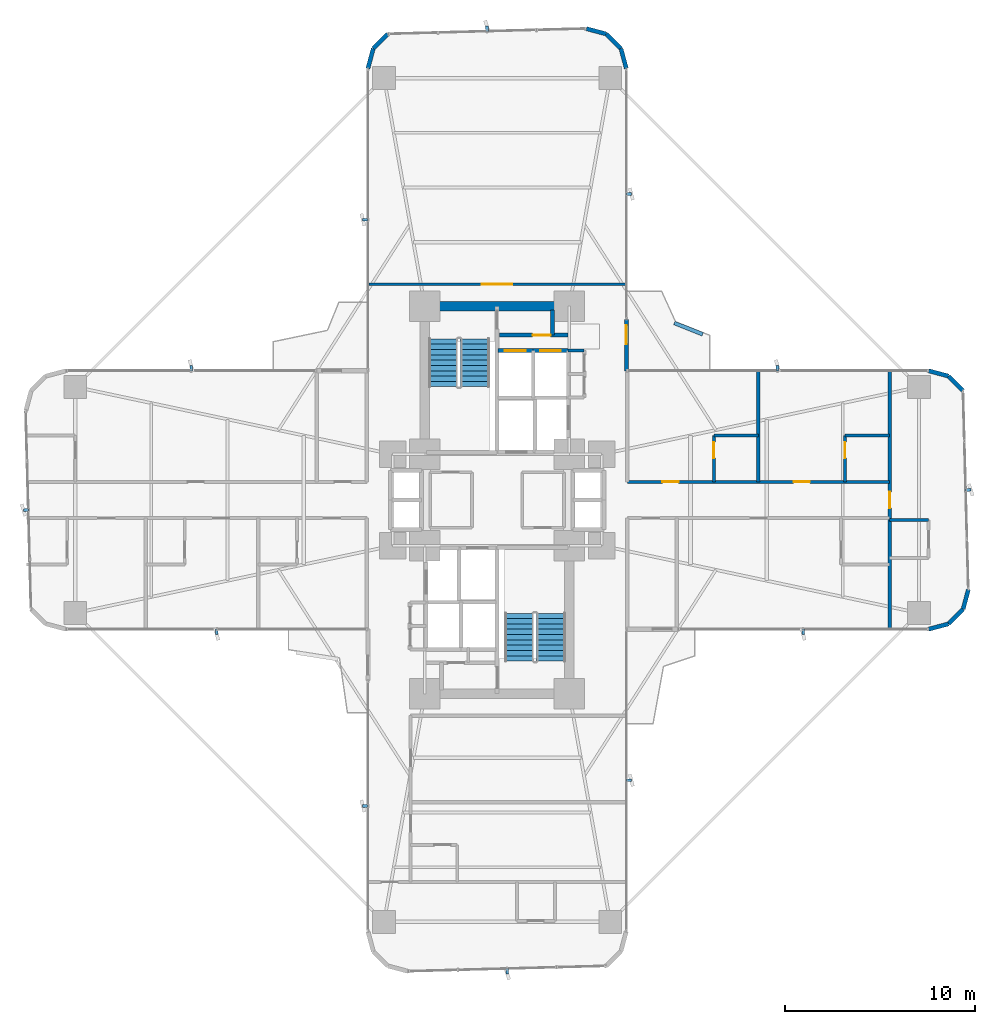
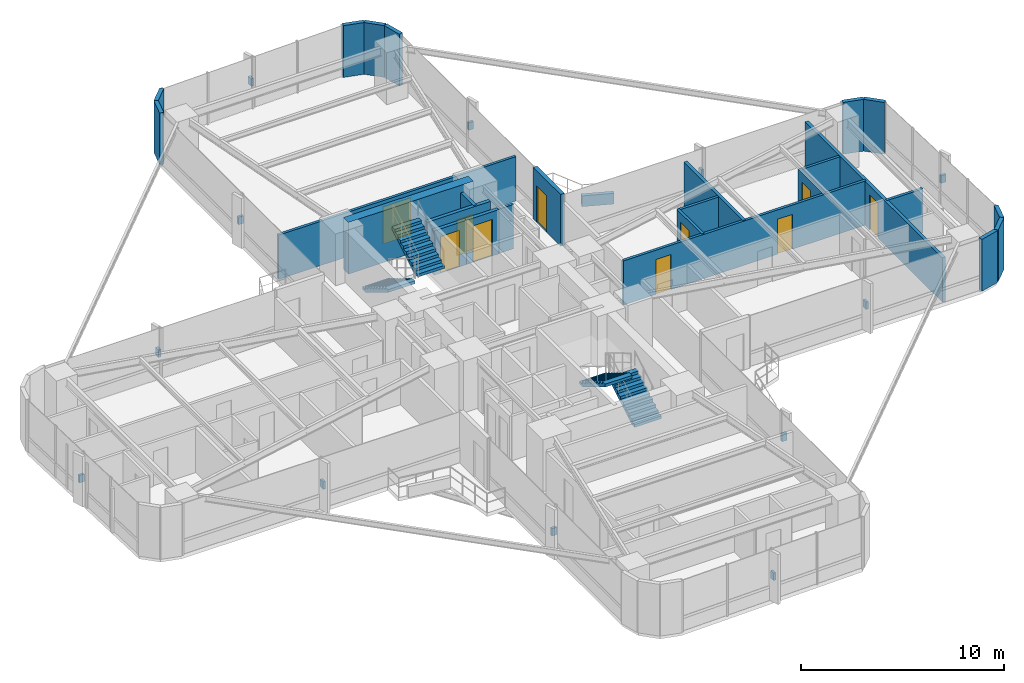
# One storey, part 24 of 25: 27 walls, 12 discrete accessories, 10 doors, 4 stair flights, 10 openings, 2 elements without a shape of their own.
"""IFC4 building model written with IfcOpenShell, lengths in metres."""

from ifc_helpers import new_model, si_unit, direction, frame, frame_2d, origin, origin_2d, place, context, subcontext, project, spatial, polyline, rectangle, outline, extrude, source, transform, mapped, material, layer, layer_set, type_object, element, fill, aggregate, save


model = new_model("IFC4")

# Units and contexts
model_context = context("Model", 3, precision=1e-05, world=origin(), true_north=direction((0.0, 1.0)))
body_context = subcontext(model_context, "Body", "Model", "MODEL_VIEW")
ifc_project = project(units=[si_unit("LENGTHUNIT", "METRE"), si_unit("AREAUNIT", "SQUARE_METRE"), si_unit("VOLUMEUNIT", "CUBIC_METRE"), si_unit("PLANEANGLEUNIT", "RADIAN"), si_unit("MASSUNIT", "GRAM", prefix="KILO")], contexts=[model_context])

# Site, building, storey
site_placement = place(None, origin())
site = spatial("IfcSite", under=ifc_project, at=site_placement, CompositionType="ELEMENT")
building_placement = place(site_placement, origin())
building = spatial("IfcBuilding", under=site, at=building_placement, Name="Sahyath Konkavel Grand Hotel", CompositionType="ELEMENT")
storey_placement = place(building_placement, frame((0.0, 0.0, 57.75)))
storey = spatial("IfcBuildingStorey", under=building, at=storey_placement, Name="L15", CompositionType="ELEMENT", Elevation=57.75)

# Walls
ifc_material_1 = material(Name="Concrete C70/85", Category="concrete")
ifc_layer_1 = layer(ifc_material_1, 0.5)
ifc_layer_set_1 = layer_set([ifc_layer_1], Name="Concrete C70/85")
wall_type_1 = type_object("IfcWallType", Name="CWALL-500", PredefinedType="SHEAR", material=ifc_layer_set_1)
wall_1_placement = place(storey_placement, frame((-3.550048828125, 10.199951171875, 0.0), z_axis=(0.0, 0.0, 1.0), x_axis=(1.0, 0.0, 0.0)))
element("IfcWall", 1, at=wall_1_placement, inside=storey, type_object=wall_type_1, Name="L15 North Core Shear Wall N", PredefinedType="SHEAR", context=body_context, shape_type="SweptSolid", body=[
    extrude(rectangle(XDim=7.10009765625, YDim=0.5, at=frame_2d((3.550048828125, 0.0))), origin(), (0.0, 0.0, 1.0), 3.110107421875),
])
ifc_material_2 = material(Name="Warm Buff Sandstone Insulated Concrete C40/50", Category="masonry")
ifc_layer_2 = layer(ifc_material_2, 0.219970703125)
ifc_layer_set_2 = layer_set([ifc_layer_2], Name="Warm Buff Sandstone Insulated Concrete C40/50")
wall_type_2 = type_object("IfcWallType", Name="WLL-BALC-THRESH", PredefinedType="STANDARD", material=ifc_layer_set_2)
for number, where, z_axis, x_axis, name in (
    (2, (22.699951171875, -6.800048828125, 0.0), (0.0, 0.0, 1.0), (0.965951058412, 0.25872485917, 0.0), "L15 Rounded Corner Sandstone Pier 1"),
    (3, (23.75, -6.518798828125, 0.0), (0.0, 0.0, 1.0), (0.707106781187, 0.707106781187, 0.0), "L15 Rounded Corner Sandstone Pier 2"),
    (4, (24.518798828125, -5.75, 0.0), (0.0, 0.0, 1.0), (0.25872485917, 0.965951058412, 0.0), "L15 Rounded Corner Sandstone Pier 3"),
    (5, (24.518798828125, 5.75, 0.0), (0.0, 0.0, 1.0), (-0.707106781187, 0.707106781187, 0.0), "L15 Rounded Corner Sandstone Pier 5"),
    (6, (23.75, 6.518798828125, 0.0), (0.0, 0.0, 1.0), (-0.965951058412, 0.25872485917, 0.0), "L15 Rounded Corner Sandstone Pier 6"),
):
    element("IfcWall", number, at=place(storey_placement, frame(where, z_axis=z_axis, x_axis=x_axis)), inside=storey, type_object=wall_type_2, Name=name, PredefinedType="STANDARD", context=body_context, shape_type="SweptSolid", body=[
        extrude(rectangle(XDim=1.087158203125, YDim=0.219970703125, at=frame_2d((0.54345703125, 0.0))), origin(), (0.0, 0.0, 1.0), 3.110107421875),
    ])

# Wall, opening, door
wall_2_placement = place(storey_placement, frame((6.800048828125, 6.800048828125, 0.0), z_axis=(0.0, 0.0, 1.0), x_axis=(0.0, 1.0, 0.0)))
wall_2 = element("IfcWall", 7, at=wall_2_placement, inside=storey, type_object=wall_type_2, Name="L15 Winter-Garden Threshold Wall 8", PredefinedType="STANDARD", context=body_context, shape_type="SweptSolid", body=[
    extrude(rectangle(XDim=2.699951171875, YDim=0.219970703125, at=frame_2d((1.35009765625, 0.0))), origin(), (0.0, 0.0, 1.0), 3.110107421875),
])
opening_1_placement = place(wall_2_placement, frame((1.39990234375, 0.0, 0.0)))
opening_1 = element("IfcOpeningElement", 8, at=opening_1_placement, cuts=wall_2, Name="Opening D-TR1", PredefinedType="OPENING", context=body_context, shape_type="SweptSolid", body=[
    extrude(rectangle(XDim=1.0, YDim=2.199951171875, at=frame_2d((0.5, 1.10009765625))), frame((0.0, 0.1201171875, 0.0), z_axis=(0.0, -1.0, 0.0), x_axis=(1.0, 0.0, 0.0)), (0.0, 0.0, 1.0), 0.239990234375),
])
ifc_material_3 = material(Name="Anodised Bronze Aluminium & Low-E Glazing", Category="aluminium")
door_type_1 = type_object("IfcDoorType", Name="DR-TERRACE-1000", OperationType="NOTDEFINED", PredefinedType="DOOR", material=ifc_material_3)
shared_shape_1 = source(origin(), body_context, "Body", "SweptSolid", [
    extrude(rectangle(XDim=1.0, YDim=0.050048828125, at=origin_2d()), origin(), (0.0, 0.0, 1.0), 2.199951171875),
])
door_1_placement = place(opening_1_placement, frame((0.5, 0.0, 0.0)))
door_1 = element("IfcDoor", 9, at=door_1_placement, inside=storey, type_object=door_type_1, Name="L15 Winter-Garden Terrace Door 8", OperationType="SINGLE_SWING_LEFT", OverallHeight=2.199951171875, OverallWidth=1.0, PredefinedType="DOOR", context=body_context, shape_type="MappedRepresentation", body=[
    mapped(shared_shape_1, transform((0.0, 0.0, 0.0), scale=1.0)),
])
fill(opening_1, door_1)

# Walls
for number, where, z_axis, x_axis, name in (
    (10, (6.800048828125, 22.699951171875, 0.0), (0.0, 0.0, 1.0), (-0.25872485917, 0.965951058412, 0.0), "L15 Rounded Corner Sandstone Pier 9"),
    (11, (6.518798828125, 23.75, 0.0), (0.0, 0.0, 1.0), (-0.707106781187, 0.707106781187, 0.0), "L15 Rounded Corner Sandstone Pier 10"),
    (12, (5.75, 24.518798828125, 0.0), (0.0, 0.0, 1.0), (-0.965951058412, 0.25872485917, 0.0), "L15 Rounded Corner Sandstone Pier 11"),
    (13, (-5.75, 24.518798828125, 0.0), (0.0, 0.0, 1.0), (-0.707106781187, -0.707106781187, 0.0), "L15 Rounded Corner Sandstone Pier 13"),
    (14, (-6.518798828125, 23.75, 0.0), (0.0, 0.0, 1.0), (-0.25872485917, -0.965951058412, 0.0), "L15 Rounded Corner Sandstone Pier 14"),
):
    element("IfcWall", number, at=place(storey_placement, frame(where, z_axis=z_axis, x_axis=x_axis)), inside=storey, type_object=wall_type_2, Name=name, PredefinedType="STANDARD", context=body_context, shape_type="SweptSolid", body=[
        extrude(rectangle(XDim=1.087158203125, YDim=0.219970703125, at=frame_2d((0.54345703125, 0.0))), origin(), (0.0, 0.0, 1.0), 3.110107421875),
    ])

# Wall, opening, door
ifc_material_4 = material(Name="Concrete C40/50", Category="concrete")
ifc_layer_3 = layer(ifc_material_4, 0.199951171875)
ifc_layer_set_3 = layer_set([ifc_layer_3], Name="Concrete C40/50")
wall_type_3 = type_object("IfcWallType", Name="WLL-CORE-200", PredefinedType="SOLIDWALL", material=ifc_layer_set_3)
wall_3_placement = place(storey_placement, frame((0.050048828125, 7.860107421875, 0.0), z_axis=(0.0, 0.0, 1.0), x_axis=(1.0, 0.0, 0.0)))
wall_3 = element("IfcWall", 15, at=wall_3_placement, inside=storey, type_object=wall_type_3, Name="L15 Partition SH-PL1-N", PredefinedType="SOLIDWALL", context=body_context, shape_type="SweptSolid", body=[
    extrude(rectangle(XDim=1.849853515625, YDim=0.199951171875, at=frame_2d((0.9248046875, 0.0))), origin(), (0.0, 0.0, 1.0), 2.659912109375),
])
opening_2_placement = place(wall_3_placement, frame((0.360107421875, 0.0, 0.0)))
opening_2 = element("IfcOpeningElement", 16, at=opening_2_placement, cuts=wall_3, Name="Opening LD-11", PredefinedType="OPENING", context=body_context, shape_type="SweptSolid", body=[
    extrude(rectangle(XDim=1.10009765625, YDim=2.199951171875, at=frame_2d((0.550048828125, 1.10009765625))), frame((0.0, 0.10986328125, 0.0), z_axis=(0.0, -1.0, 0.0), x_axis=(1.0, 0.0, 0.0)), (0.0, 0.0, 1.0), 0.219970703125),
])
ifc_material_5 = material(Name="Bronze Lift Landing Door 1100")
door_type_2 = type_object("IfcDoorType", Name="DR-LIFT-1100", OperationType="DOUBLE_DOOR_SLIDING", PredefinedType="DOOR", material=ifc_material_5)
shared_shape_2 = source(origin(), body_context, "Body", "SweptSolid", [
    extrude(rectangle(XDim=1.10009765625, YDim=0.050048828125, at=origin_2d()), origin(), (0.0, 0.0, 1.0), 2.199951171875),
])
door_2_placement = place(opening_2_placement, frame((0.550048828125, 0.0, 0.0)))
door_2 = element("IfcDoor", 17, at=door_2_placement, inside=storey, type_object=door_type_2, Name="L15 Passenger Lift PL-1 Landing Door", OperationType="DOUBLE_DOOR_SLIDING", OverallHeight=2.199951171875, OverallWidth=1.10009765625, PredefinedType="DOOR", context=body_context, shape_type="MappedRepresentation", body=[
    mapped(shared_shape_2, transform((0.0, 0.0, 0.0), scale=1.0)),
])
fill(opening_2, door_2)

wall_4_placement = place(storey_placement, frame((1.89990234375, 7.860107421875, 0.0), z_axis=(0.0, 0.0, 1.0), x_axis=(1.0, 0.0, 0.0)))
wall_4 = element("IfcWall", 18, at=wall_4_placement, inside=storey, type_object=wall_type_3, Name="L15 Partition SH-PL2-N", PredefinedType="SOLIDWALL", context=body_context, shape_type="SweptSolid", body=[
    extrude(rectangle(XDim=1.840087890625, YDim=0.199951171875, at=frame_2d((0.919921875, 0.0))), origin(), (0.0, 0.0, 1.0), 2.659912109375),
])
opening_3_placement = place(wall_4_placement, frame((0.360107421875, 0.0, 0.0)))
opening_3 = element("IfcOpeningElement", 19, at=opening_3_placement, cuts=wall_4, Name="Opening LD-11", PredefinedType="OPENING", context=body_context, shape_type="SweptSolid", body=[
    extrude(rectangle(XDim=1.10009765625, YDim=2.199951171875, at=frame_2d((0.550048828125, 1.10009765625))), frame((0.0, 0.10986328125, 0.0), z_axis=(0.0, -1.0, 0.0), x_axis=(1.0, 0.0, 0.0)), (0.0, 0.0, 1.0), 0.219970703125),
])
door_3_placement = place(opening_3_placement, frame((0.550048828125, 0.0, 0.0)))
door_3 = element("IfcDoor", 20, at=door_3_placement, inside=storey, type_object=door_type_2, Name="L15 Passenger Lift PL-2 Landing Door", OperationType="DOUBLE_DOOR_SLIDING", OverallHeight=2.199951171875, OverallWidth=1.10009765625, PredefinedType="DOOR", context=body_context, shape_type="MappedRepresentation", body=[
    mapped(shared_shape_2, transform((0.0, 0.0, 0.0), scale=1.0)),
])
fill(opening_3, door_3)

wall_5_placement = place(storey_placement, frame((0.1201171875, 8.679931640625, 0.0), z_axis=(0.0, 0.0, 1.0), x_axis=(1.0, 0.0, 0.0)))
wall_5 = element("IfcWall", 21, at=wall_5_placement, inside=storey, type_object=wall_type_3, Name="L15 North FF Lobby Separation Wall", PredefinedType="SOLIDWALL", context=body_context, shape_type="SweptSolid", body=[
    extrude(rectangle(XDim=3.619873046875, YDim=0.199951171875, at=frame_2d((1.81005859375, 0.0))), origin(), (0.0, 0.0, 1.0), 2.659912109375),
])
opening_4_placement = place(wall_5_placement, frame((1.75, 0.0, 0.0)))
opening_4 = element("IfcOpeningElement", 22, at=opening_4_placement, cuts=wall_5, Name="Opening D-F12C", PredefinedType="OPENING", context=body_context, shape_type="SweptSolid", body=[
    extrude(rectangle(XDim=0.949951171875, YDim=2.14990234375, at=frame_2d((0.47509765625, 1.074951171875))), frame((0.0, 0.10986328125, 0.0), z_axis=(0.0, -1.0, 0.0), x_axis=(1.0, 0.0, 0.0)), (0.0, 0.0, 1.0), 0.219970703125),
])
ifc_material_6 = material(Name="Steel E350 Plant Fire Door", Category="steel")
door_type_3 = type_object("IfcDoorType", Name="DR-FD120-950", OperationType="NOTDEFINED", PredefinedType="DOOR", material=ifc_material_6)
shared_shape_3 = source(origin(), body_context, "Body", "SweptSolid", [
    extrude(rectangle(XDim=0.949951171875, YDim=0.050048828125, at=origin_2d()), origin(), (0.0, 0.0, 1.0), 2.14990234375),
])
door_4_placement = place(opening_4_placement, frame((0.47509765625, 0.0, 0.0)))
door_4 = element("IfcDoor", 23, at=door_4_placement, inside=storey, type_object=door_type_3, Name="L15 North Firefighting Lobby Door", OperationType="SINGLE_SWING_RIGHT", OverallHeight=2.14990234375, OverallWidth=0.949951171875, PredefinedType="DOOR", context=body_context, shape_type="MappedRepresentation", body=[
    mapped(shared_shape_3, transform((0.0, 0.0, 0.0), scale=1.0)),
])
fill(opening_4, door_4)

# Walls
wall_6_placement = place(storey_placement, frame((2.919921875, 8.679931640625, 0.0), z_axis=(0.0, 0.0, 1.0), x_axis=(0.0, 1.0, 0.0)))
element("IfcWall", 24, at=wall_6_placement, inside=storey, type_object=wall_type_3, Name="L15 Partition NFF-E2", PredefinedType="SOLIDWALL", context=body_context, shape_type="SweptSolid", body=[
    extrude(rectangle(XDim=1.320068359375, YDim=0.199951171875, at=frame_2d((0.66015625, 0.0))), origin(), (0.0, 0.0, 1.0), 2.659912109375),
])
ifc_material_7 = material(Name="Twin-Stud Acoustic Gypsum Plasterboard Partition")
ifc_layer_4 = layer(ifc_material_7, 0.179931640625)
ifc_layer_set_4 = layer_set([ifc_layer_4], Name="Twin-Stud Acoustic Gypsum Plasterboard Partition")
wall_type_4 = type_object("IfcWallType", Name="WLL-DEMISE-180", PredefinedType="PARTITIONING", material=ifc_layer_set_4)
wall_7_placement = place(storey_placement, frame((13.75, 0.949951171875, 0.0), z_axis=(0.0, 0.0, 1.0), x_axis=(0.0, 1.0, 0.0)))
element("IfcWall", 25, at=wall_7_placement, inside=storey, type_object=wall_type_4, Name="L15 Partition E-E4L1-DEM", PredefinedType="PARTITIONING", context=body_context, shape_type="SweptSolid", body=[
    extrude(rectangle(XDim=5.800048828125, YDim=0.179931640625, at=frame_2d((2.89990234375, 0.0))), origin(), (0.0, 0.0, 1.0), 2.659912109375),
])

# Wall, opening, door
wall_8_placement = place(storey_placement, frame((20.64990234375, -6.75, 0.0), z_axis=(0.0, 0.0, 1.0), x_axis=(0.0, 1.0, 0.0)))
wall_8 = element("IfcWall", 26, at=wall_8_placement, inside=storey, type_object=wall_type_4, Name="L15 Partition E-ETIP-END", PredefinedType="PARTITIONING", context=body_context, shape_type="SweptSolid", body=[
    extrude(rectangle(XDim=13.5, YDim=0.179931640625, at=frame_2d((6.75, 0.0))), origin(), (0.0, 0.0, 1.0), 2.659912109375),
])
opening_5_placement = place(wall_8_placement, frame((6.324951171875, 0.0, 0.0)))
opening_5 = element("IfcOpeningElement", 27, at=opening_5_placement, cuts=wall_8, Name="Opening D-F06D", PredefinedType="OPENING", context=body_context, shape_type="SweptSolid", body=[
    extrude(rectangle(XDim=0.85009765625, YDim=2.10009765625, at=frame_2d((0.425048828125, 1.050048828125))), frame((0.0, 0.10009765625, 0.0), z_axis=(0.0, -1.0, 0.0), x_axis=(1.0, 0.0, 0.0)), (0.0, 0.0, 1.0), 0.199951171875),
])
ifc_material_8 = material(Name="Fire-Rated Shaft Access Door")
door_type_4 = type_object("IfcDoorType", Name="DR-FD60-850", OperationType="NOTDEFINED", PredefinedType="DOOR", material=ifc_material_8)
shared_shape_4 = source(origin(), body_context, "Body", "SweptSolid", [
    extrude(rectangle(XDim=0.85009765625, YDim=0.050048828125, at=origin_2d()), origin(), (0.0, 0.0, 1.0), 2.10009765625),
])
door_5_placement = place(opening_5_placement, frame((0.425048828125, 0.0, 0.0)))
door_5 = element("IfcDoor", 28, at=door_5_placement, inside=storey, type_object=door_type_4, Name="L15 Door E-ETIP-ED", OperationType="SINGLE_SWING_RIGHT", OverallHeight=2.10009765625, OverallWidth=0.85009765625, PredefinedType="DOOR", context=body_context, shape_type="MappedRepresentation", body=[
    mapped(shared_shape_4, transform((0.0, 0.0, 0.0), scale=1.0)),
])
fill(opening_5, door_5)

# Wall
ifc_material_9 = material(Name="Fire-Rated Gypsum Plasterboard Partition")
ifc_layer_5 = layer(ifc_material_9, 0.14990234375)
ifc_layer_set_5 = layer_set([ifc_layer_5], Name="Fire-Rated Gypsum Plasterboard Partition")
wall_type_5 = type_object("IfcWallType", Name="WLL-PART-150", PredefinedType="PARTITIONING", material=ifc_layer_set_5)
wall_9_placement = place(storey_placement, frame((3.739990234375, 7.860107421875, 0.0), z_axis=(0.0, 0.0, 1.0), x_axis=(1.0, 0.0, 0.0)))
element("IfcWall", 29, at=wall_9_placement, inside=storey, type_object=wall_type_5, Name="L15 Partition NC-FLK-N", PredefinedType="PARTITIONING", context=body_context, shape_type="SweptSolid", body=[
    extrude(rectangle(XDim=0.840087890625, YDim=0.14990234375, at=frame_2d((0.419921875, 0.0))), origin(), (0.0, 0.0, 1.0), 2.659912109375),
])

# Wall, openings, doors
wall_10_placement = place(storey_placement, frame((6.85009765625, 0.949951171875, 0.0), z_axis=(0.0, 0.0, 1.0), x_axis=(1.0, 0.0, 0.0)))
wall_10 = element("IfcWall", 30, at=wall_10_placement, inside=storey, type_object=wall_type_5, Name="L15 Partition E-CL", PredefinedType="PARTITIONING", context=body_context, shape_type="SweptSolid", body=[
    extrude(rectangle(XDim=13.7998046875, YDim=0.14990234375, at=frame_2d((6.89990234375, 0.0))), origin(), (0.0, 0.0, 1.0), 2.659912109375),
])
opening_6_placement = place(wall_10_placement, frame((1.85205078125, 0.0, 0.0)))
opening_6 = element("IfcOpeningElement", 31, at=opening_6_placement, cuts=wall_10, Name="Opening D-F06D", PredefinedType="OPENING", context=body_context, shape_type="SweptSolid", body=[
    extrude(rectangle(XDim=0.85009765625, YDim=2.10009765625, at=frame_2d((0.425048828125, 1.050048828125))), frame((0.0, 0.0849609375, 0.0), z_axis=(0.0, -1.0, 0.0), x_axis=(1.0, 0.0, 0.0)), (0.0, 0.0, 1.0), 0.169921875),
])
opening_7_placement = place(wall_10_placement, frame((8.751953125, 0.0, 0.0)))
opening_7 = element("IfcOpeningElement", 32, at=opening_7_placement, cuts=wall_10, Name="Opening D-F06D", PredefinedType="OPENING", context=body_context, shape_type="SweptSolid", body=[
    extrude(rectangle(XDim=0.85009765625, YDim=2.10009765625, at=frame_2d((0.425048828125, 1.050048828125))), frame((0.0, 0.0849609375, 0.0), z_axis=(0.0, -1.0, 0.0), x_axis=(1.0, 0.0, 0.0)), (0.0, 0.0, 1.0), 0.169921875),
])
door_6_placement = place(opening_6_placement, frame((0.425048828125, 0.0, 0.0)))
door_6 = element("IfcDoor", 33, at=door_6_placement, inside=storey, type_object=door_type_4, Name="L15 Door E-E4L1-ED", OperationType="SINGLE_SWING_LEFT", OverallHeight=2.10009765625, OverallWidth=0.85009765625, PredefinedType="DOOR", context=body_context, shape_type="MappedRepresentation", body=[
    mapped(shared_shape_4, transform((0.0, 0.0, 0.0), scale=1.0)),
])
fill(opening_6, door_6)
door_7_placement = place(opening_7_placement, frame((0.425048828125, 0.0, 0.0)))
door_7 = element("IfcDoor", 34, at=door_7_placement, inside=storey, type_object=door_type_4, Name="L15 Door E-E4L2-ED", OperationType="SINGLE_SWING_LEFT", OverallHeight=2.10009765625, OverallWidth=0.85009765625, PredefinedType="DOOR", context=body_context, shape_type="MappedRepresentation", body=[
    mapped(shared_shape_4, transform((0.0, 0.0, 0.0), scale=1.0)),
])
fill(opening_7, door_7)

# Wall, opening, door
wall_11_placement = place(storey_placement, frame((11.404052734375, 0.949951171875, 0.0), z_axis=(0.0, 0.0, 1.0), x_axis=(0.0, 1.0, 0.0)))
wall_11 = element("IfcWall", 35, at=wall_11_placement, inside=storey, type_object=wall_type_5, Name="L15 Partition E-E4L1-BS", PredefinedType="PARTITIONING", context=body_context, shape_type="SweptSolid", body=[
    extrude(rectangle(XDim=2.449951171875, YDim=0.14990234375, at=frame_2d((1.22509765625, 0.0))), origin(), (0.0, 0.0, 1.0), 2.659912109375),
])
opening_8_placement = place(wall_11_placement, frame((1.25, 0.0, 0.0)))
opening_8 = element("IfcOpeningElement", 36, at=opening_8_placement, cuts=wall_11, Name="Opening D-BT85", PredefinedType="OPENING", context=body_context, shape_type="SweptSolid", body=[
    extrude(rectangle(XDim=0.85009765625, YDim=2.10009765625, at=frame_2d((0.425048828125, 1.050048828125))), frame((0.0, 0.0849609375, 0.0), z_axis=(0.0, -1.0, 0.0), x_axis=(1.0, 0.0, 0.0)), (0.0, 0.0, 1.0), 0.169921875),
])
ifc_material_10 = material(Name="Moisture-Resistant Teak Bathroom Door")
door_type_5 = type_object("IfcDoorType", Name="DR-BATH-850", OperationType="NOTDEFINED", PredefinedType="DOOR", material=ifc_material_10)
door_8_placement = place(opening_8_placement, frame((0.425048828125, 0.0, 0.0)))
door_8 = element("IfcDoor", 37, at=door_8_placement, inside=storey, type_object=door_type_5, Name="L15 Door E-E4L1-BD", OperationType="SINGLE_SWING_RIGHT", OverallHeight=2.10009765625, OverallWidth=0.85009765625, PredefinedType="DOOR", context=body_context, shape_type="MappedRepresentation", body=[
    mapped(shared_shape_4, transform((0.0, 0.0, 0.0), scale=1.0)),
])
fill(opening_8, door_8)

# Wall
wall_12_placement = place(storey_placement, frame((11.404052734375, 3.39990234375, 0.0), z_axis=(0.0, 0.0, 1.0), x_axis=(1.0, 0.0, 0.0)))
element("IfcWall", 38, at=wall_12_placement, inside=storey, type_object=wall_type_5, Name="L15 Partition E-E4L1-BF", PredefinedType="PARTITIONING", context=body_context, shape_type="SweptSolid", body=[
    extrude(rectangle(XDim=2.345947265625, YDim=0.14990234375, at=frame_2d((1.1728515625, 0.0))), origin(), (0.0, 0.0, 1.0), 2.6298828125),
])

# Wall, opening, door
wall_13_placement = place(storey_placement, frame((18.303955078125, 0.949951171875, 0.0), z_axis=(0.0, 0.0, 1.0), x_axis=(0.0, 1.0, 0.0)))
wall_13 = element("IfcWall", 39, at=wall_13_placement, inside=storey, type_object=wall_type_5, Name="L15 Partition E-E4L2-BS", PredefinedType="PARTITIONING", context=body_context, shape_type="SweptSolid", body=[
    extrude(rectangle(XDim=2.449951171875, YDim=0.14990234375, at=frame_2d((1.22509765625, 0.0))), origin(), (0.0, 0.0, 1.0), 2.659912109375),
])
opening_9_placement = place(wall_13_placement, frame((1.25, 0.0, 0.0)))
opening_9 = element("IfcOpeningElement", 40, at=opening_9_placement, cuts=wall_13, Name="Opening D-BT85", PredefinedType="OPENING", context=body_context, shape_type="SweptSolid", body=[
    extrude(rectangle(XDim=0.85009765625, YDim=2.10009765625, at=frame_2d((0.425048828125, 1.050048828125))), frame((0.0, 0.0849609375, 0.0), z_axis=(0.0, -1.0, 0.0), x_axis=(1.0, 0.0, 0.0)), (0.0, 0.0, 1.0), 0.169921875),
])
door_9_placement = place(opening_9_placement, frame((0.425048828125, 0.0, 0.0)))
door_9 = element("IfcDoor", 41, at=door_9_placement, inside=storey, type_object=door_type_5, Name="L15 Door E-E4L2-BD", OperationType="SINGLE_SWING_RIGHT", OverallHeight=2.10009765625, OverallWidth=0.85009765625, PredefinedType="DOOR", context=body_context, shape_type="MappedRepresentation", body=[
    mapped(shared_shape_4, transform((0.0, 0.0, 0.0), scale=1.0)),
])
fill(opening_9, door_9)

# Walls
wall_14_placement = place(storey_placement, frame((18.303955078125, 3.39990234375, 0.0), z_axis=(0.0, 0.0, 1.0), x_axis=(1.0, 0.0, 0.0)))
element("IfcWall", 42, at=wall_14_placement, inside=storey, type_object=wall_type_5, Name="L15 Partition E-E4L2-BF", PredefinedType="PARTITIONING", context=body_context, shape_type="SweptSolid", body=[
    extrude(rectangle(XDim=2.345947265625, YDim=0.14990234375, at=frame_2d((1.1728515625, 0.0))), origin(), (0.0, 0.0, 1.0), 2.6298828125),
])
wall_15_placement = place(storey_placement, frame((20.64990234375, -1.050048828125, 0.0), z_axis=(0.0, 0.0, 1.0), x_axis=(1.0, 0.0, 0.0)))
element("IfcWall", 43, at=wall_15_placement, inside=storey, type_object=wall_type_5, Name="L15 Partition E-ETIP-BN", PredefinedType="PARTITIONING", context=body_context, shape_type="SweptSolid", body=[
    extrude(rectangle(XDim=2.050048828125, YDim=0.14990234375, at=frame_2d((1.02490234375, 0.0))), origin(), (0.0, 0.0, 1.0), 2.659912109375),
])

# Wall, opening, door
wall_16_placement = place(storey_placement, frame((6.75, 11.35009765625, 0.0), z_axis=(0.0, 0.0, 1.0), x_axis=(-1.0, 0.0, 0.0)))
wall_16 = element("IfcWall", 44, at=wall_16_placement, inside=storey, type_object=wall_type_5, Name="L15 Partition N-SAL-IN", PredefinedType="PARTITIONING", context=body_context, shape_type="SweptSolid", body=[
    extrude(rectangle(XDim=13.5, YDim=0.14990234375, at=frame_2d((6.75, 0.0))), origin(), (0.0, 0.0, 1.0), 2.659912109375),
])
opening_10_placement = place(wall_16_placement, frame((5.949951171875, 0.0, 0.0)))
opening_10 = element("IfcOpeningElement", 45, at=opening_10_placement, cuts=wall_16, Name="Opening D-DB16", PredefinedType="OPENING", context=body_context, shape_type="SweptSolid", body=[
    extrude(rectangle(XDim=1.60009765625, YDim=2.25, at=frame_2d((0.800048828125, 1.125))), frame((0.0, 0.0849609375, 0.0), z_axis=(0.0, -1.0, 0.0), x_axis=(1.0, 0.0, 0.0)), (0.0, 0.0, 1.0), 0.169921875),
])
ifc_material_11 = material(Name="Double Leaf Lounge Glazed Timber Door", Category="wood")
door_type_6 = type_object("IfcDoorType", Name="DR-DBL-1600", OperationType="DOUBLE_DOOR_SINGLE_SWING", PredefinedType="DOOR", material=ifc_material_11)
shared_shape_5 = source(origin(), body_context, "Body", "SweptSolid", [
    extrude(rectangle(XDim=1.60009765625, YDim=0.050048828125, at=origin_2d()), origin(), (0.0, 0.0, 1.0), 2.25),
])
door_10_placement = place(opening_10_placement, frame((0.800048828125, 0.0, 0.0)))
door_10 = element("IfcDoor", 46, at=door_10_placement, inside=storey, type_object=door_type_6, Name="L15 Door N-SAL-D", OperationType="DOUBLE_DOOR_SINGLE_SWING", OverallHeight=2.25, OverallWidth=1.60009765625, PredefinedType="DOOR", context=body_context, shape_type="MappedRepresentation", body=[
    mapped(shared_shape_5, transform((0.0, 0.0, 0.0), scale=1.0)),
])
fill(opening_10, door_10)

# Wall
ifc_material_12 = material(Name="Warm Buff Sandstone Planter Wall", Category="masonry")
ifc_layer_6 = layer(ifc_material_12, 0.199951171875)
ifc_layer_set_6 = layer_set([ifc_layer_6], Name="Warm Buff Sandstone Planter Wall")
wall_type_6 = type_object("IfcWallType", Name="WLL-PLANTER-200", PredefinedType="PARAPET", material=ifc_layer_set_6)
wall_17_placement = place(storey_placement, frame((10.814697265625, 8.716064453125, 0.0), z_axis=(0.0, 0.0, 1.0), x_axis=(-0.928592072744, 0.371102091664, 0.0)))
element("IfcWall", 47, at=wall_17_placement, inside=storey, type_object=wall_type_6, Name="L15 Sky-Garden Stone Planter PLANTER NE", PredefinedType="PARAPET", context=body_context, shape_type="SweptSolid", body=[
    extrude(rectangle(XDim=1.6044921875, YDim=0.199951171875, at=frame_2d((0.80224609375, 0.0))), origin(), (0.0, 0.0, 1.0), 0.64990234375),
])

# Stair, stair flights
stair_type = type_object("IfcStairType", Name="STR-ST16-335", PredefinedType="HALF_TURN_STAIR", material=ifc_material_4)
stair_1_placement = place(storey_placement, origin())
stair_1 = element("IfcStair", 48, at=stair_1_placement, inside=storey, type_object=stair_type, Name="L15 North Core Smokeproof Exit Stair ST-1", PredefinedType="HALF_TURN_STAIR")
stair_flight_type = type_object("IfcStairFlightType", Name="STF-ST16-335", PredefinedType="STRAIGHT", material=ifc_material_4)
stair_flight_1_placement = place(storey_placement, frame((-2.840087890625, 8.47998046875, 0.0), z_axis=(0.0, 0.0, 1.0), x_axis=(0.0, -1.0, 0.0)))
stair_flight_1 = element("IfcStairFlight", 49, at=stair_flight_1_placement, type_object=stair_flight_type, Name="ST-1 flight 1", NumberOfRisers=10, NumberOfTreads=9, PredefinedType="STRAIGHT", RiserHeight=0.1675, TreadLength=0.28, context=body_context, shape_type="SweptSolid", body=[
    extrude(outline(polyline([(0.0, 0.0), (0.0, 0.16748046875), (0.280029296875, 0.16748046875), (0.280029296875, 0.3349609375), (0.56005859375, 0.3349609375), (0.56005859375, 0.50244140625), (0.840087890625, 0.50244140625), (0.840087890625, 0.669921875), (1.1201171875, 0.669921875), (1.1201171875, 0.83740234375), (1.39990234375, 0.83740234375), (1.39990234375, 1.0048828125), (1.679931640625, 1.0048828125), (1.679931640625, 1.172607421875), (1.9599609375, 1.172607421875), (1.9599609375, 1.340087890625), (2.239990234375, 1.340087890625), (2.239990234375, 1.507568359375), (2.52001953125, 1.507568359375), (2.52001953125, 1.675048828125), (2.52001953125, 1.332763671875), (0.2919921875, 0.0), (0.0, 0.0)])), frame((0.0, 0.760009765625, 0.0), z_axis=(0.0, -1.0, 0.0), x_axis=(1.0, 0.0, 0.0)), (0.0, 0.0, 1.0), 1.52001953125),
])
stair_flight_2_placement = place(storey_placement, frame((-1.159912109375, 5.9599609375, 1.675048828125), z_axis=(0.0, 0.0, 1.0), x_axis=(0.0, 1.0, 0.0)))
stair_flight_2 = element("IfcStairFlight", 50, at=stair_flight_2_placement, type_object=stair_flight_type, Name="ST-1 flight 2", NumberOfRisers=10, NumberOfTreads=9, PredefinedType="STRAIGHT", RiserHeight=0.1675, TreadLength=0.28, context=body_context, shape_type="SweptSolid", body=[
    extrude(outline(polyline([(0.0, 0.0), (0.0, 0.16748046875), (0.280029296875, 0.16748046875), (0.280029296875, 0.3349609375), (0.56005859375, 0.3349609375), (0.56005859375, 0.50244140625), (0.840087890625, 0.50244140625), (0.840087890625, 0.669921875), (1.1201171875, 0.669921875), (1.1201171875, 0.83740234375), (1.39990234375, 0.83740234375), (1.39990234375, 1.0048828125), (1.679931640625, 1.0048828125), (1.679931640625, 1.172607421875), (1.9599609375, 1.172607421875), (1.9599609375, 1.340087890625), (2.239990234375, 1.340087890625), (2.239990234375, 1.507568359375), (2.52001953125, 1.507568359375), (2.52001953125, 1.675048828125), (2.52001953125, 1.332763671875), (0.2919921875, 0.0), (0.0, 0.0)])), frame((0.0, 0.760009765625, 0.0), z_axis=(0.0, -1.0, 0.0), x_axis=(1.0, 0.0, 0.0)), (0.0, 0.0, 1.0), 1.52001953125),
])
aggregate(stair_1, [stair_flight_1, stair_flight_2])

stair_2_placement = place(storey_placement, origin())
stair_2 = element("IfcStair", 51, at=stair_2_placement, inside=storey, type_object=stair_type, Name="L15 South Core Smokeproof Exit Stair ST-2", PredefinedType="HALF_TURN_STAIR")
stair_flight_3_placement = place(storey_placement, frame((2.840087890625, -8.47998046875, 0.0), z_axis=(0.0, 0.0, 1.0), x_axis=(0.0, 1.0, 0.0)))
stair_flight_3 = element("IfcStairFlight", 52, at=stair_flight_3_placement, type_object=stair_flight_type, Name="ST-2 flight 1", NumberOfRisers=10, NumberOfTreads=9, PredefinedType="STRAIGHT", RiserHeight=0.1675, TreadLength=0.28, context=body_context, shape_type="SweptSolid", body=[
    extrude(outline(polyline([(0.0, 0.0), (0.0, 0.16748046875), (0.280029296875, 0.16748046875), (0.280029296875, 0.3349609375), (0.56005859375, 0.3349609375), (0.56005859375, 0.50244140625), (0.840087890625, 0.50244140625), (0.840087890625, 0.669921875), (1.1201171875, 0.669921875), (1.1201171875, 0.83740234375), (1.39990234375, 0.83740234375), (1.39990234375, 1.0048828125), (1.679931640625, 1.0048828125), (1.679931640625, 1.172607421875), (1.9599609375, 1.172607421875), (1.9599609375, 1.340087890625), (2.239990234375, 1.340087890625), (2.239990234375, 1.507568359375), (2.52001953125, 1.507568359375), (2.52001953125, 1.675048828125), (2.52001953125, 1.332763671875), (0.2919921875, 0.0), (0.0, 0.0)])), frame((0.0, 0.760009765625, 0.0), z_axis=(0.0, -1.0, 0.0), x_axis=(1.0, 0.0, 0.0)), (0.0, 0.0, 1.0), 1.52001953125),
])
stair_flight_4_placement = place(storey_placement, frame((1.159912109375, -5.9599609375, 1.675048828125), z_axis=(0.0, 0.0, 1.0), x_axis=(0.0, -1.0, 0.0)))
stair_flight_4 = element("IfcStairFlight", 53, at=stair_flight_4_placement, type_object=stair_flight_type, Name="ST-2 flight 2", NumberOfRisers=10, NumberOfTreads=9, PredefinedType="STRAIGHT", RiserHeight=0.1675, TreadLength=0.28, context=body_context, shape_type="SweptSolid", body=[
    extrude(outline(polyline([(0.0, 0.0), (0.0, 0.16748046875), (0.280029296875, 0.16748046875), (0.280029296875, 0.3349609375), (0.56005859375, 0.3349609375), (0.56005859375, 0.50244140625), (0.840087890625, 0.50244140625), (0.840087890625, 0.669921875), (1.1201171875, 0.669921875), (1.1201171875, 0.83740234375), (1.39990234375, 0.83740234375), (1.39990234375, 1.0048828125), (1.679931640625, 1.0048828125), (1.679931640625, 1.172607421875), (1.9599609375, 1.172607421875), (1.9599609375, 1.340087890625), (2.239990234375, 1.340087890625), (2.239990234375, 1.507568359375), (2.52001953125, 1.507568359375), (2.52001953125, 1.675048828125), (2.52001953125, 1.332763671875), (0.2919921875, 0.0), (0.0, 0.0)])), frame((0.0, 0.760009765625, 0.0), z_axis=(0.0, -1.0, 0.0), x_axis=(1.0, 0.0, 0.0)), (0.0, 0.0, 1.0), 1.52001953125),
])
aggregate(stair_2, [stair_flight_3, stair_flight_4])

# Discrete accessories
ifc_material_13 = material(Name="Steel E350", Category="steel")
discrete_accessory_type = type_object("IfcDiscreteAccessoryType", Name="ACC-FIN-BRACKET", PredefinedType="BRACKET", material=ifc_material_13)
shared_shape_6 = source(origin(), body_context, "Body", "SweptSolid", [
    extrude(rectangle(XDim=0.280029296875, YDim=0.139892578125, at=origin_2d()), origin(), (0.0, 0.0, 1.0), 0.449951171875),
])
for number, where, z_axis, x_axis, name in (
    (54, (16.10009765625, -6.929931640625, 1.330078125), (0.0, 0.0, 1.0), (0.0, -1.0, 0.0), "L15 Fin Support Bracket F0-1"),
    (55, (24.789306640625, 0.528564453125, 1.330078125), (0.0, 0.0, 1.0), (0.999637867691, 0.026909728301, 0.0), "L15 Fin Support Bracket F4-2"),
    (56, (14.75, 6.929931640625, 1.330078125), (0.0, 0.0, 1.0), (0.0, 1.0, 0.0), "L15 Fin Support Bracket F7-1"),
    (57, (6.929931640625, 16.10009765625, 1.330078125), (0.0, 0.0, 1.0), (1.0, 0.0, 0.0), "L15 Fin Support Bracket F8-1"),
    (58, (-0.528564453125, 24.789306640625, 1.330078125), (0.0, 0.0, 1.0), (-0.026909728301, 0.999637867691, 0.0), "L15 Fin Support Bracket F12-2"),
    (59, (-6.929931640625, 14.75, 1.330078125), (0.0, 0.0, 1.0), (-1.0, 0.0, 0.0), "L15 Fin Support Bracket F15-1"),
    (60, (-16.10009765625, 6.929931640625, 1.330078125), (0.0, 0.0, 1.0), (0.0, 1.0, 0.0), "L15 Fin Support Bracket F16-1"),
    (61, (-24.789306640625, -0.528564453125, 1.330078125), (0.0, 0.0, 1.0), (-0.999637867691, -0.026909728301, 0.0), "L15 Fin Support Bracket F20-2"),
    (62, (-14.75, -6.929931640625, 1.330078125), (0.0, 0.0, 1.0), (0.0, -1.0, 0.0), "L15 Fin Support Bracket F23-1"),
    (63, (-6.929931640625, -16.10009765625, 1.330078125), (0.0, 0.0, 1.0), (-1.0, 0.0, 0.0), "L15 Fin Support Bracket F24-1"),
    (64, (0.528564453125, -24.789306640625, 1.330078125), (0.0, 0.0, 1.0), (0.026909728301, -0.999637867691, 0.0), "L15 Fin Support Bracket F28-2"),
    (65, (6.929931640625, -14.75, 1.330078125), (0.0, 0.0, 1.0), (1.0, 0.0, 0.0), "L15 Fin Support Bracket F31-1"),
):
    element("IfcDiscreteAccessory", number, at=place(storey_placement, frame(where, z_axis=z_axis, x_axis=x_axis)), inside=storey, type_object=discrete_accessory_type, Name=name, PredefinedType="BRACKET", context=body_context, shape_type="MappedRepresentation", body=[
        mapped(shared_shape_6, transform((0.0, 0.0, 0.0), scale=1.0)),
    ])

save(model, "model.ifc")
